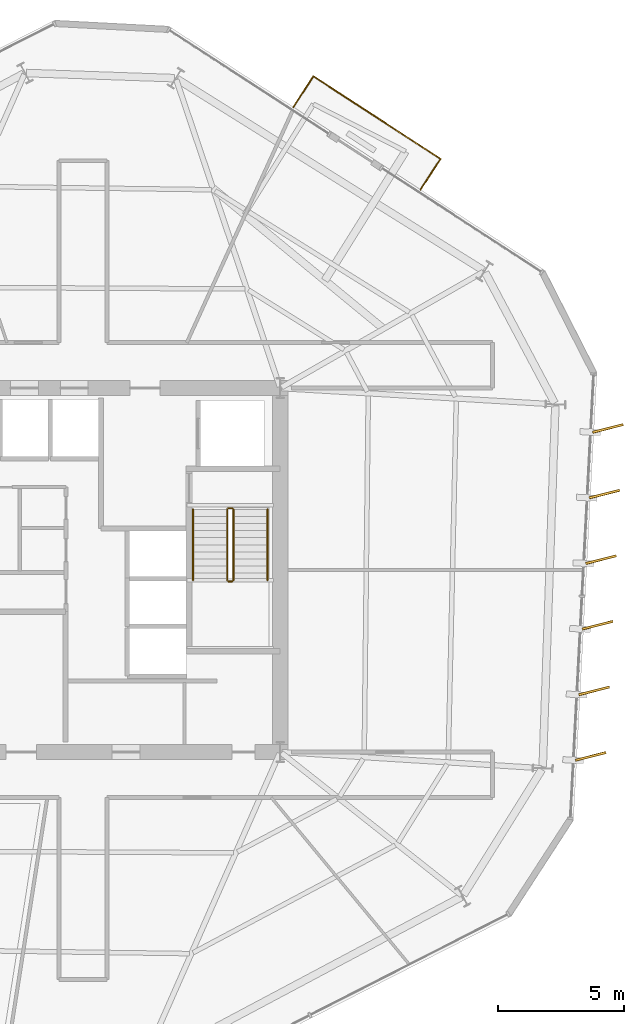
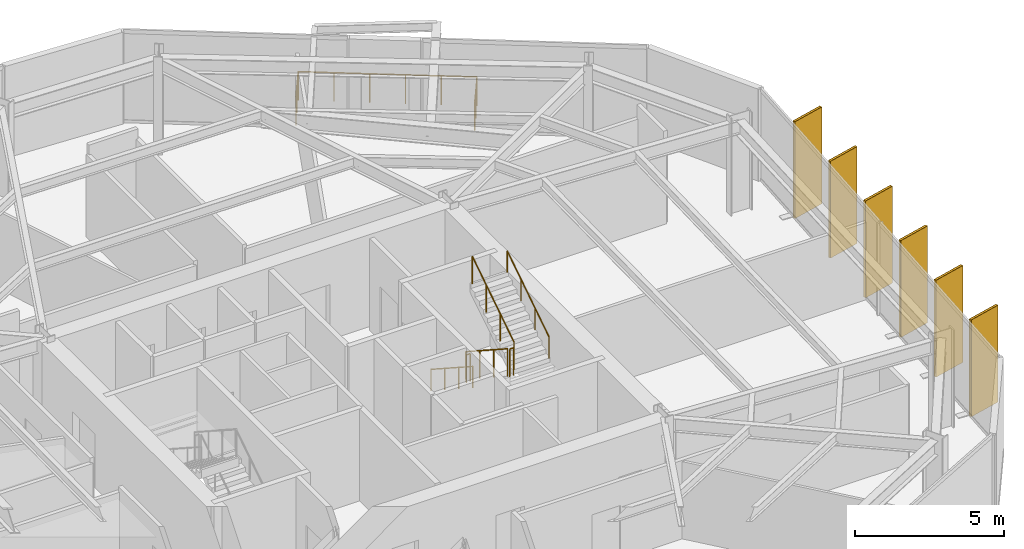
# One storey, part 10 of 10: 7 railings, 6 coverings, 6 shading devices.
"""IFC4 building model written with IfcOpenShell, lengths in metres."""

from ifc_helpers import new_model, si_unit, direction, frame, origin, origin_2d, place, context, subcontext, project, spatial, rectangle, circle, extrude, material, layer, layer_set, type_object, element, save


model = new_model("IFC4")

# Units and contexts
model_context = context("Model", 3, precision=1e-05, world=origin(), true_north=direction((0.0, 1.0)))
body_context = subcontext(model_context, "Body", "Model", "MODEL_VIEW")
ifc_project = project(units=[si_unit("LENGTHUNIT", "METRE"), si_unit("AREAUNIT", "SQUARE_METRE"), si_unit("VOLUMEUNIT", "CUBIC_METRE"), si_unit("PLANEANGLEUNIT", "RADIAN"), si_unit("MASSUNIT", "GRAM", prefix="KILO")], contexts=[model_context])

# Site, building, storey
site_placement = place(None, origin())
site = spatial("IfcSite", under=ifc_project, at=site_placement, CompositionType="ELEMENT")
building_placement = place(site_placement, origin())
building = spatial("IfcBuilding", under=site, at=building_placement, Name="Kranzbogen Civic Tower", CompositionType="ELEMENT")
storey_placement = place(building_placement, frame((0.0, 0.0, 130.39990234375)))
storey = spatial("IfcBuildingStorey", under=building, at=storey_placement, Name="L31", CompositionType="ELEMENT", Elevation=130.39990234375)

# Coverings
ifc_material_1 = material(Name="Pale Anodised Aluminium", Category="aluminium")
ifc_layer = layer(ifc_material_1, 0.02490234375, Name="Pale Anodised Aluminium")
ifc_layer_set = layer_set([ifc_layer], Name="Pale Anodised Aluminium")
covering_type = type_object("IfcCoveringType", Name="Anodised Aluminium Vertical Fin Cladding 25 mm", PredefinedType="CLADDING", material=ifc_layer_set)
for number, where, z_axis, x_axis, name in (
    (1, (45.087890625, 17.623046875, -0.139892578125), (0.0, 0.0, 1.0), (0.969889020457, 0.243547301352, 0.0), "L31 vertical fin pale-metal cladding F6-1"),
    (2, (45.22509765625, 20.218994140625, -0.139892578125), (0.0, 0.0, 1.0), (0.969889020457, 0.243547301352, 0.0), "L31 vertical fin pale-metal cladding F6-2"),
    (3, (45.361083984375, 22.81591796875, -0.139892578125), (0.0, 0.0, 1.0), (0.969889020457, 0.243547301352, 0.0), "L31 vertical fin pale-metal cladding F6-3"),
    (4, (45.4970703125, 25.412109375, -0.139892578125), (0.0, 0.0, 1.0), (0.969889020457, 0.243547301352, 0.0), "L31 vertical fin pale-metal cladding F6-4"),
    (5, (45.633056640625, 28.008056640625, -0.139892578125), (0.0, 0.0, 1.0), (0.969889020457, 0.243547301352, 0.0), "L31 vertical fin pale-metal cladding F6-5"),
    (6, (45.76904296875, 30.60498046875, -0.139892578125), (0.0, 0.0, 1.0), (0.969889020457, 0.243547301352, 0.0), "L31 vertical fin pale-metal cladding F6-6"),
):
    element("IfcCovering", number, at=place(storey_placement, frame(where, z_axis=z_axis, x_axis=x_axis)), inside=storey, type_object=covering_type, Name=name, PredefinedType="CLADDING", context=body_context, shape_type="SweptSolid", body=[
        extrude(rectangle(XDim=1.25, YDim=0.10009765625, at=origin_2d()), origin(), (0.0, 0.0, 1.0), 3.9599609375),
    ])

# Shading devices
ifc_material_2 = material(Name="Anodised Bronze Aluminium", Category="aluminium")
shading_device_type = type_object("IfcShadingDeviceType", Name="Anodised Bronze Vertical Facade Fin 1250x80", PredefinedType="USERDEFINED", material=ifc_material_2)
for number, where, z_axis, x_axis, name in (
    (7, (45.087890625, 17.623046875, -0.139892578125), (0.0, 0.0, 1.0), (0.969889020457, 0.243547301352, 0.0), "L31 vertical exterior shading fin F6-1"),
    (8, (45.22509765625, 20.218994140625, -0.139892578125), (0.0, 0.0, 1.0), (0.969889020457, 0.243547301352, 0.0), "L31 vertical exterior shading fin F6-2"),
    (9, (45.361083984375, 22.81591796875, -0.139892578125), (0.0, 0.0, 1.0), (0.969889020457, 0.243547301352, 0.0), "L31 vertical exterior shading fin F6-3"),
    (10, (45.4970703125, 25.412109375, -0.139892578125), (0.0, 0.0, 1.0), (0.969889020457, 0.243547301352, 0.0), "L31 vertical exterior shading fin F6-4"),
    (11, (45.633056640625, 28.008056640625, -0.139892578125), (0.0, 0.0, 1.0), (0.969889020457, 0.243547301352, 0.0), "L31 vertical exterior shading fin F6-5"),
    (12, (45.76904296875, 30.60498046875, -0.139892578125), (0.0, 0.0, 1.0), (0.969889020457, 0.243547301352, 0.0), "L31 vertical exterior shading fin F6-6"),
):
    element("IfcShadingDevice", number, at=place(storey_placement, frame(where, z_axis=z_axis, x_axis=x_axis)), inside=storey, type_object=shading_device_type, Name=name, ObjectType="FIN", PredefinedType="USERDEFINED", context=body_context, shape_type="SweptSolid", body=[
        extrude(rectangle(XDim=1.25, YDim=0.080078125, at=origin_2d()), origin(), (0.0, 0.0, 1.0), 3.9599609375),
    ])

# Railings
railing_type_1 = type_object("IfcRailingType", Name="Cantilevered Balcony Glass and Bronze Balustrade 1200", PredefinedType="BALUSTRADE", material=ifc_material_2)
railing_1_placement = place(storey_placement, frame((38.35400390625, 40.055908203125, 0.0)))
element("IfcRailing", 13, at=railing_1_placement, inside=storey, type_object=railing_type_1, Name="L31 exterior terrace balustrade L31-TB2", PredefinedType="BALUSTRADE", context=body_context, shape_type="SweptSolid", body=[
    extrude(circle(Radius=0.02392578125, at=origin_2d()), frame((0.0, 0.0, 1.17578125), z_axis=(0.544793057183, 0.83857052467, 0.0), x_axis=(-0.83857052467, 0.544793057183, 0.0)), (0.0, 0.0, 1.0), 1.4501953125),
    extrude(circle(Radius=0.02392578125, at=origin_2d()), frame((0.7900390625, 1.216064453125, 1.17578125), z_axis=(-0.838725209156, 0.544554885688, 0.0), x_axis=(-0.544554885688, -0.838725209156, 0.0)), (0.0, 0.0, 1.0), 5.99951171875),
    extrude(circle(Radius=0.02392578125, at=origin_2d()), frame((-4.241943359375, 4.483154296875, 1.17578125), z_axis=(-0.544793057183, -0.83857052467, 0.0), x_axis=(0.83857052467, -0.544793057183, 0.0)), (0.0, 0.0, 1.0), 1.4501953125),
    extrude(circle(Radius=0.02099609375, at=origin_2d()), origin(), (0.0, 0.0, 1.0), 1.15185546875),
    extrude(circle(Radius=0.02099609375, at=origin_2d()), frame((0.39501953125, 0.60791015625, 0.0)), (0.0, 0.0, 1.0), 1.15185546875),
    extrude(circle(Radius=0.02099609375, at=origin_2d()), frame((0.7900390625, 1.216064453125, 0.0)), (0.0, 0.0, 1.0), 1.15185546875),
    extrude(circle(Radius=0.02099609375, at=origin_2d()), frame((-0.21630859375, 1.869384765625, 0.0)), (0.0, 0.0, 1.0), 1.15185546875),
    extrude(circle(Radius=0.02099609375, at=origin_2d()), frame((-1.22265625, 2.52294921875, 0.0)), (0.0, 0.0, 1.0), 1.15185546875),
    extrude(circle(Radius=0.02099609375, at=origin_2d()), frame((-2.229248046875, 3.17626953125, 0.0)), (0.0, 0.0, 1.0), 1.15185546875),
    extrude(circle(Radius=0.02099609375, at=origin_2d()), frame((-3.235595703125, 3.829833984375, 0.0)), (0.0, 0.0, 1.0), 1.15185546875),
    extrude(circle(Radius=0.02099609375, at=origin_2d()), frame((-4.241943359375, 4.483154296875, 0.0)), (0.0, 0.0, 1.0), 1.15185546875),
    extrude(circle(Radius=0.02099609375, at=origin_2d()), frame((-4.636962890625, 3.875, 0.0)), (0.0, 0.0, 1.0), 1.15185546875),
    extrude(circle(Radius=0.02099609375, at=origin_2d()), frame((-5.031982421875, 3.26708984375, 0.0)), (0.0, 0.0, 1.0), 1.15185546875),
])
ifc_material_3 = material(Name="Steel S355", Category="steel")
railing_type_2 = type_object("IfcRailingType", Name="Internal Stair and Void Steel Guardrail 1150", PredefinedType="GUARDRAIL", material=ifc_material_3)
railing_2_placement = place(storey_placement, frame((30.699951171875, 27.39990234375, 0.181884765625)))
element("IfcRailing", 14, at=railing_2_placement, inside=storey, type_object=railing_type_2, Name="L31 ST-T2 stair guard 1", PredefinedType="GUARDRAIL", context=body_context, shape_type="SweptSolid", body=[
    extrude(circle(Radius=0.02392578125, at=origin_2d()), frame((0.0, 0.0, 1.1259765625), z_axis=(0.0, -0.83868413941, 0.544618136222), x_axis=(1.0, 0.0, 0.0)), (0.0, 0.0, 1.0), 3.33837890625),
    extrude(circle(Radius=0.02099609375, at=origin_2d()), origin(), (0.0, 0.0, 1.0), 1.101806640625),
    extrude(circle(Radius=0.02099609375, at=origin_2d()), frame((0.0, -0.933349609375, 0.60595703125)), (0.0, 0.0, 1.0), 1.101806640625),
    extrude(circle(Radius=0.02099609375, at=origin_2d()), frame((0.0, -1.866455078125, 1.212158203125)), (0.0, 0.0, 1.0), 1.101806640625),
    extrude(circle(Radius=0.02099609375, at=origin_2d()), frame((0.0, -2.7998046875, 1.818115234375)), (0.0, 0.0, 1.0), 1.101806640625),
])
railing_3_placement = place(storey_placement, frame((30.75, 24.550048828125, 2.0)))
element("IfcRailing", 15, at=railing_3_placement, inside=storey, type_object=railing_type_2, Name="L31 ST-T2 stair guard 2", PredefinedType="GUARDRAIL", context=body_context, shape_type="SweptSolid", body=[
    extrude(circle(Radius=0.02392578125, at=origin_2d()), frame((0.0, 0.0, 1.1259765625), z_axis=(1.0, 0.0, 0.0), x_axis=(0.0, 1.0, 0.0)), (0.0, 0.0, 1.0), 0.14990234375),
    extrude(circle(Radius=0.02099609375, at=origin_2d()), origin(), (0.0, 0.0, 1.0), 1.101806640625),
    extrude(circle(Radius=0.02099609375, at=origin_2d()), frame((0.14990234375, 0.0, 0.0)), (0.0, 0.0, 1.0), 1.101806640625),
])
railing_4_placement = place(storey_placement, frame((30.949951171875, 24.60009765625, 2.181884765625)))
element("IfcRailing", 16, at=railing_4_placement, inside=storey, type_object=railing_type_2, Name="L31 ST-T2 stair guard 3", PredefinedType="GUARDRAIL", context=body_context, shape_type="SweptSolid", body=[
    extrude(circle(Radius=0.02392578125, at=origin_2d()), frame((0.0, 0.0, 1.1259765625), z_axis=(0.0, 0.83868413941, 0.544618136222), x_axis=(-1.0, 0.0, 0.0)), (0.0, 0.0, 1.0), 3.33837890625),
    extrude(circle(Radius=0.02099609375, at=origin_2d()), origin(), (0.0, 0.0, 1.0), 1.101806640625),
    extrude(circle(Radius=0.02099609375, at=origin_2d()), frame((0.0, 0.933349609375, 0.60595703125)), (0.0, 0.0, 1.0), 1.101806640625),
    extrude(circle(Radius=0.02099609375, at=origin_2d()), frame((0.0, 1.866455078125, 1.212158203125)), (0.0, 0.0, 1.0), 1.101806640625),
    extrude(circle(Radius=0.02099609375, at=origin_2d()), frame((0.0, 2.7998046875, 1.818115234375)), (0.0, 0.0, 1.0), 1.101806640625),
])
railing_5_placement = place(storey_placement, frame((30.75, 27.449951171875, 0.0)))
element("IfcRailing", 17, at=railing_5_placement, inside=storey, type_object=railing_type_2, Name="L31 ST-T2 stair guard 4", PredefinedType="GUARDRAIL", context=body_context, shape_type="SweptSolid", body=[
    extrude(circle(Radius=0.02392578125, at=origin_2d()), frame((0.0, 0.0, 1.1259765625), z_axis=(1.0, 0.0, 0.0), x_axis=(0.0, 1.0, 0.0)), (0.0, 0.0, 1.0), 0.14990234375),
    extrude(circle(Radius=0.02099609375, at=origin_2d()), origin(), (0.0, 0.0, 1.0), 1.101806640625),
    extrude(circle(Radius=0.02099609375, at=origin_2d()), frame((0.14990234375, 0.0, 0.0)), (0.0, 0.0, 1.0), 1.101806640625),
])
railing_type_3 = type_object("IfcRailingType", Name="Tubular Stainless Stair Wall Handrail 900", PredefinedType="HANDRAIL", material=ifc_material_1)
railing_6_placement = place(storey_placement, frame((29.35009765625, 27.39990234375, 0.181884765625)))
element("IfcRailing", 18, at=railing_6_placement, inside=storey, type_object=railing_type_3, Name="L31 ST-T2 stair handrail 1", PredefinedType="HANDRAIL", context=body_context, shape_type="SweptSolid", body=[
    extrude(circle(Radius=0.02392578125, at=origin_2d()), frame((0.0, 0.0, 0.8759765625), z_axis=(0.0, -0.83868413941, 0.544618136222), x_axis=(1.0, 0.0, 0.0)), (0.0, 0.0, 1.0), 3.33837890625),
    extrude(circle(Radius=0.02099609375, at=origin_2d()), origin(), (0.0, 0.0, 1.0), 0.851806640625),
    extrude(circle(Radius=0.02099609375, at=origin_2d()), frame((0.0, -0.933349609375, 0.60595703125)), (0.0, 0.0, 1.0), 0.851806640625),
    extrude(circle(Radius=0.02099609375, at=origin_2d()), frame((0.0, -1.866455078125, 1.212158203125)), (0.0, 0.0, 1.0), 0.851806640625),
    extrude(circle(Radius=0.02099609375, at=origin_2d()), frame((0.0, -2.7998046875, 1.818115234375)), (0.0, 0.0, 1.0), 0.851806640625),
])
railing_7_placement = place(storey_placement, frame((32.300048828125, 24.60009765625, 2.181884765625)))
element("IfcRailing", 19, at=railing_7_placement, inside=storey, type_object=railing_type_3, Name="L31 ST-T2 stair handrail 2", PredefinedType="HANDRAIL", context=body_context, shape_type="SweptSolid", body=[
    extrude(circle(Radius=0.02392578125, at=origin_2d()), frame((0.0, 0.0, 0.8759765625), z_axis=(0.0, 0.83868413941, 0.544618136222), x_axis=(-1.0, 0.0, 0.0)), (0.0, 0.0, 1.0), 3.33837890625),
    extrude(circle(Radius=0.02099609375, at=origin_2d()), origin(), (0.0, 0.0, 1.0), 0.851806640625),
    extrude(circle(Radius=0.02099609375, at=origin_2d()), frame((0.0, 0.933349609375, 0.60595703125)), (0.0, 0.0, 1.0), 0.851806640625),
    extrude(circle(Radius=0.02099609375, at=origin_2d()), frame((0.0, 1.866455078125, 1.212158203125)), (0.0, 0.0, 1.0), 0.851806640625),
    extrude(circle(Radius=0.02099609375, at=origin_2d()), frame((0.0, 2.7998046875, 1.818115234375)), (0.0, 0.0, 1.0), 0.851806640625),
])

save(model, "model.ifc")
